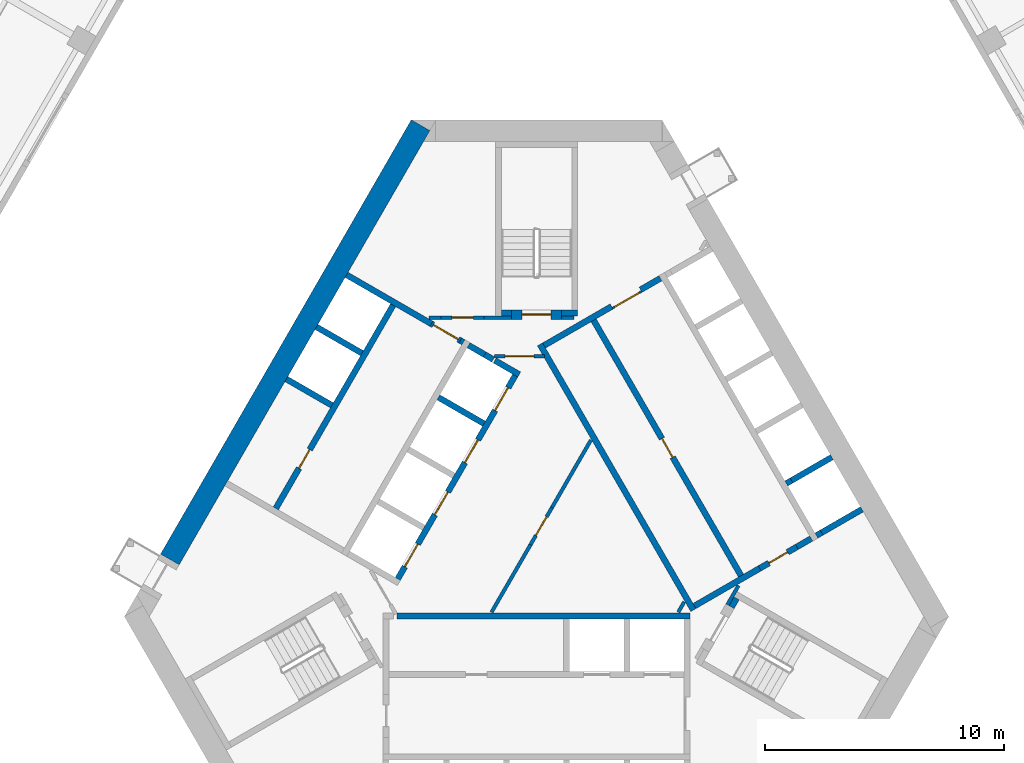
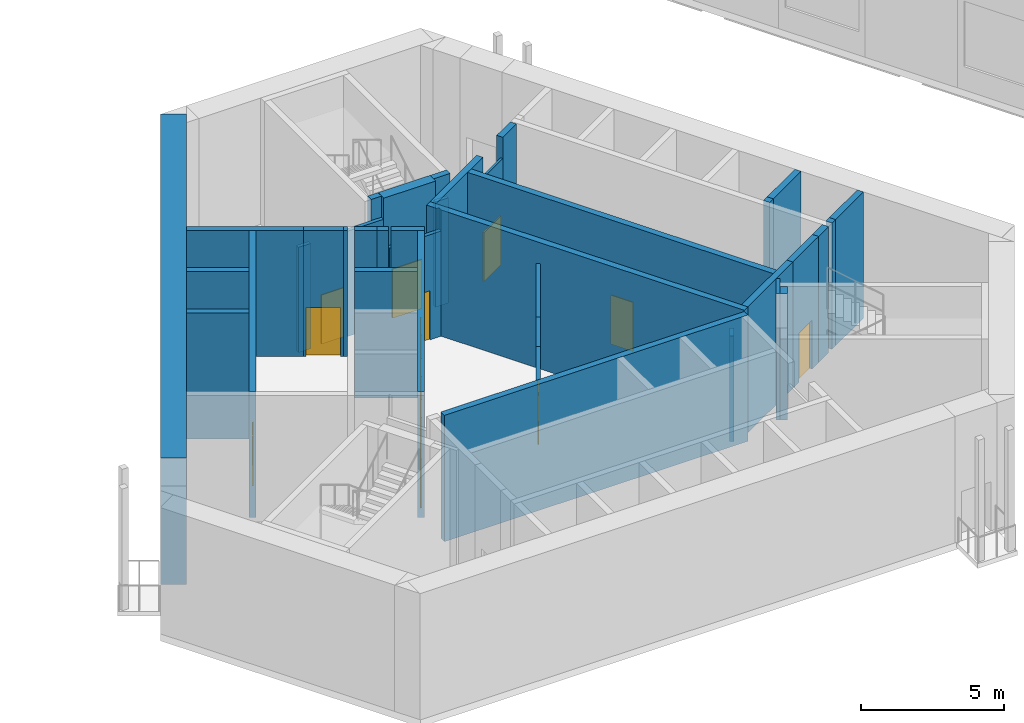
# One storey, part 13 of 35: 39 walls, 13 doors, 13 openings.
"""IFC4 building model written with IfcOpenShell, lengths in metres."""

from ifc_helpers import new_model, si_unit, direction, frame, frame_2d, origin, place, context, subcontext, project, spatial, polyline, rectangle, outline, extrude, material, layer, layer_set, type_object, element, fill, save


model = new_model("IFC4")

# Units and contexts
model_context = context("Model", 3, precision=1e-05, world=origin(), true_north=direction((0.0, 1.0)))
body_context = subcontext(model_context, "Body", "Model", "MODEL_VIEW")
ifc_project = project(units=[si_unit("LENGTHUNIT", "METRE"), si_unit("AREAUNIT", "SQUARE_METRE"), si_unit("VOLUMEUNIT", "CUBIC_METRE"), si_unit("PLANEANGLEUNIT", "RADIAN"), si_unit("MASSUNIT", "GRAM", prefix="KILO")], contexts=[model_context])

# Site, building, storey
site_placement = place(None, origin())
site = spatial("IfcSite", under=ifc_project, at=site_placement, CompositionType="ELEMENT")
building_placement = place(site_placement, origin())
building = spatial("IfcBuilding", under=site, at=building_placement, Name="Mestral Congress Tower", CompositionType="ELEMENT")
storey_placement = place(building_placement, frame((0.0, 0.0, 6.0)))
storey = spatial("IfcBuildingStorey", under=building, at=storey_placement, Name="L01", CompositionType="ELEMENT", Elevation=6.0)

# Walls
ifc_material_1 = material(Name="Fire-rated board partition")
ifc_layer_1 = layer(ifc_material_1, 0.14990234375)
ifc_layer_set_1 = layer_set([ifc_layer_1], Name="Fire-rated board partition")
wall_type_1 = type_object("IfcWallType", Name="Core partition 150", PredefinedType="PARTITIONING", material=ifc_layer_set_1)
wall_1_placement = place(storey_placement, frame((-3.99658203125, 8.625244140625, 0.0), z_axis=(0.0, 0.0, 1.0), x_axis=(-1.0, 0.0, 0.0)))
element("IfcWall", 1, at=wall_1_placement, inside=storey, type_object=wall_type_1, Name="L01 core wall", PredefinedType="PARTITIONING", context=body_context, shape_type="SweptSolid", body=[
    extrude(rectangle(XDim=0.502197265625, YDim=0.14990234375, at=frame_2d((0.2509765625, 0.0))), origin(), (0.0, 0.0, 1.0), 4.5),
])
wall_2_placement = place(storey_placement, frame((-2.1962890625, 8.62548828125, 0.0), z_axis=(0.0, 0.0, 1.0), x_axis=(1.0, 0.0, 0.0)))
element("IfcWall", 2, at=wall_2_placement, inside=storey, type_object=wall_type_1, Name="L01 core wall", PredefinedType="PARTITIONING", context=body_context, shape_type="SweptSolid", body=[
    extrude(rectangle(XDim=1.146240234375, YDim=0.14990234375, at=frame_2d((0.5732421875, 0.0))), origin(), (0.0, 0.0, 1.0), 4.5),
])
wall_3_placement = place(storey_placement, frame((5.935791015625, -3.718017578125, 0.0), z_axis=(0.0, 0.0, 1.0), x_axis=(0.499890179513, 0.866088799389, 0.0)))
element("IfcWall", 3, at=wall_3_placement, inside=storey, type_object=wall_type_1, Name="L01 core wall", PredefinedType="PARTITIONING", context=body_context, shape_type="SweptSolid", body=[
    extrude(rectangle(XDim=0.50390625, YDim=0.14990234375, at=frame_2d((0.251953125, 0.0))), origin(), (0.0, 0.0, 1.0), 4.5),
])
for number, where, z_axis, x_axis, name in (
    (4, (-1.886962890625, -3.71826171875, 0.0), (0.0, 0.0, 1.0), (0.500033287521, 0.866006184372, 0.0), "L01 core wall"),
    (5, (0.64501953125, 0.6669921875, 0.0), (0.0, 0.0, 1.0), (0.499977178999, 0.866038579095, 0.0), "L01 core wall"),
):
    element("IfcWall", number, at=place(storey_placement, frame(where, z_axis=z_axis, x_axis=x_axis)), inside=storey, type_object=wall_type_1, Name=name, PredefinedType="PARTITIONING", context=body_context, shape_type="SweptSolid", body=[
        extrude(rectangle(XDim=3.263427734375, YDim=0.14990234375, at=frame_2d((1.6318359375, 0.0))), origin(), (0.0, 0.0, 1.0), 4.5),
    ])
wall_4_placement = place(storey_placement, frame((1.050048828125, 8.62548828125, 0.0), z_axis=(0.0, 0.0, 1.0), x_axis=(1.0, 0.0, 0.0)))
element("IfcWall", 6, at=wall_4_placement, inside=storey, type_object=wall_type_1, Name="L01 core wall", PredefinedType="PARTITIONING", context=body_context, shape_type="SweptSolid", body=[
    extrude(rectangle(XDim=0.513916015625, YDim=0.14990234375, at=frame_2d((0.2568359375, 0.0))), origin(), (0.0, 0.0, 1.0), 4.5),
])

# Wall, opening, door
wall_5_placement = place(storey_placement, frame((-2.1962890625, 8.625, 0.0), z_axis=(0.0, 0.0, 1.0), x_axis=(-1.0, 0.0, 0.0)))
wall_5 = element("IfcWall", 7, at=wall_5_placement, inside=storey, type_object=wall_type_1, Name="L01 door wall", PredefinedType="PARTITIONING", context=body_context, shape_type="SweptSolid", body=[
    extrude(rectangle(XDim=1.800048828125, YDim=0.14990234375, at=frame_2d((0.89990234375, 0.0))), origin(), (0.0, 0.0, 1.0), 4.5),
])
opening_1_placement = place(wall_5_placement, frame((0.449951171875, 0.0, 0.0)))
opening_1 = element("IfcOpeningElement", 8, at=opening_1_placement, cuts=wall_5, Name="Opening TD2", PredefinedType="OPENING", context=body_context, shape_type="SweptSolid", body=[
    extrude(rectangle(XDim=0.89990234375, YDim=2.10009765625, at=frame_2d((0.449951171875, 1.050048828125))), frame((0.0, 0.0849609375, 0.0), z_axis=(0.0, -1.0, 0.0), x_axis=(1.0, 0.0, 0.0)), (0.0, 0.0, 1.0), 0.169921875),
])
ifc_material_2 = material(Name="Fire-rated steel door set", Category="steel")
door_type_1 = type_object("IfcDoorType", Name="Core door SR 900x2100", OperationType="SINGLE_SWING_LEFT", PredefinedType="DOOR", material=ifc_material_2)
door_1_placement = place(opening_1_placement, origin())
door_1 = element("IfcDoor", 9, at=door_1_placement, inside=storey, type_object=door_type_1, Name="Door TD2", OperationType="SINGLE_SWING_LEFT", OverallHeight=2.10009765625, OverallWidth=0.89990234375, PredefinedType="DOOR", context=body_context, shape_type="SweptSolid", body=[
    extrude(rectangle(XDim=0.89990234375, YDim=2.10009765625, at=frame_2d((0.449951171875, 1.050048828125))), frame((0.0, 0.02490234375, 0.0), z_axis=(0.0, -1.0, 0.0), x_axis=(1.0, 0.0, 0.0)), (0.0, 0.0, 1.0), 0.050048828125),
])
fill(opening_1, door_1)

wall_6_placement = place(storey_placement, frame((-1.765380859375, 7.0, 0.0), z_axis=(0.0, 0.0, 1.0), x_axis=(1.0, 0.0, 0.0)))
wall_6 = element("IfcWall", 10, at=wall_6_placement, inside=storey, type_object=wall_type_1, Name="L01 door wall", PredefinedType="PARTITIONING", context=body_context, shape_type="SweptSolid", body=[
    extrude(rectangle(XDim=2.10009765625, YDim=0.14990234375, at=frame_2d((1.050048828125, 0.0))), origin(), (0.0, 0.0, 1.0), 4.5),
])
opening_2_placement = place(wall_6_placement, frame((0.449951171875, 0.0, 0.0)))
opening_2 = element("IfcOpeningElement", 11, at=opening_2_placement, cuts=wall_6, Name="Opening CD2-FF", PredefinedType="OPENING", context=body_context, shape_type="SweptSolid", body=[
    extrude(rectangle(XDim=1.199951171875, YDim=2.10009765625, at=frame_2d((0.60009765625, 1.050048828125))), frame((0.0, 0.0849609375, 0.0), z_axis=(0.0, -1.0, 0.0), x_axis=(1.0, 0.0, 0.0)), (0.0, 0.0, 1.0), 0.169921875),
])
door_type_2 = type_object("IfcDoorType", Name="Core door CD 1200x2100", OperationType="SINGLE_SWING_LEFT", PredefinedType="DOOR", material=ifc_material_2)
door_2_placement = place(opening_2_placement, origin())
door_2 = element("IfcDoor", 12, at=door_2_placement, inside=storey, type_object=door_type_2, Name="Door CD2-FF", OperationType="SINGLE_SWING_LEFT", OverallHeight=2.10009765625, OverallWidth=1.199951171875, PredefinedType="DOOR", context=body_context, shape_type="SweptSolid", body=[
    extrude(rectangle(XDim=1.199951171875, YDim=2.10009765625, at=frame_2d((0.60009765625, 1.050048828125))), frame((0.0, 0.02490234375, 0.0), z_axis=(0.0, -1.0, 0.0), x_axis=(1.0, 0.0, 0.0)), (0.0, 0.0, 1.0), 0.050048828125),
])
fill(opening_2, door_2)

wall_7_placement = place(storey_placement, frame((-0.255126953125, -0.891845703125, 0.0), z_axis=(0.0, 0.0, 1.0), x_axis=(0.500062916607, 0.865989075817, 0.0)))
wall_7 = element("IfcWall", 13, at=wall_7_placement, inside=storey, type_object=wall_type_1, Name="L01 door wall", PredefinedType="PARTITIONING", context=body_context, shape_type="SweptSolid", body=[
    extrude(rectangle(XDim=1.800048828125, YDim=0.14990234375, at=frame_2d((0.89990234375, 0.0))), origin(), (0.0, 0.0, 1.0), 4.5),
])
opening_3_placement = place(wall_7_placement, frame((0.449951171875, 0.0, 0.0)))
opening_3 = element("IfcOpeningElement", 14, at=opening_3_placement, cuts=wall_7, Name="Opening SD-HUB0", PredefinedType="OPENING", context=body_context, shape_type="SweptSolid", body=[
    extrude(rectangle(XDim=0.89990234375, YDim=2.10009765625, at=frame_2d((0.449951171875, 1.050048828125))), frame((0.0, 0.0849609375, 0.0), z_axis=(0.0, -1.0, 0.0), x_axis=(1.0, 0.0, 0.0)), (0.0, 0.0, 1.0), 0.169921875),
])
door_3_placement = place(opening_3_placement, origin())
door_3 = element("IfcDoor", 15, at=door_3_placement, inside=storey, type_object=door_type_1, Name="Door SD-HUB0", OperationType="SINGLE_SWING_LEFT", OverallHeight=2.10009765625, OverallWidth=0.89990234375, PredefinedType="DOOR", context=body_context, shape_type="SweptSolid", body=[
    extrude(rectangle(XDim=0.89990234375, YDim=2.10009765625, at=frame_2d((0.449951171875, 1.050048828125))), frame((0.0, 0.02490234375, 0.0), z_axis=(0.0, -1.0, 0.0), x_axis=(1.0, 0.0, 0.0)), (0.0, 0.0, 1.0), 0.050048828125),
])
fill(opening_3, door_3)

ifc_layer_2 = layer(ifc_material_1, 0.090087890625)
ifc_layer_set_2 = layer_set([ifc_layer_2], Name="Fire-rated board partition")
wall_type_2 = type_object("IfcWallType", Name="Core partition 150 door-wall 90", PredefinedType="PARTITIONING", material=ifc_layer_set_2)
wall_8_placement = place(storey_placement, frame((3.182861328125, 9.02001953125, 0.0), z_axis=(0.0, 0.0, 1.0), x_axis=(0.866034573852, 0.49998411664, 0.0)))
wall_8 = element("IfcWall", 16, at=wall_8_placement, inside=storey, type_object=wall_type_2, Name="L01 door wall", PredefinedType="PARTITIONING", context=body_context, shape_type="SweptSolid", body=[
    extrude(rectangle(XDim=1.39990234375, YDim=0.090087890625, at=frame_2d((0.699951171875, 0.0))), origin(), (0.0, 0.0, 1.0), 4.5),
])
opening_4_placement = place(wall_8_placement, frame((0.10009765625, 0.0, 0.0)))
opening_4 = element("IfcOpeningElement", 17, at=opening_4_placement, cuts=wall_8, Name="Opening LB1-WL2", PredefinedType="OPENING", context=body_context, shape_type="SweptSolid", body=[
    extrude(rectangle(XDim=1.199951171875, YDim=2.10009765625, at=frame_2d((0.60009765625, 1.050048828125))), frame((0.0, 0.054931640625, 0.0), z_axis=(0.0, -1.0, 0.0), x_axis=(1.0, 0.0, 0.0)), (0.0, 0.0, 1.0), 0.110107421875),
])
door_type_3 = type_object("IfcDoorType", Name="Core door LB 1200x2100", OperationType="SINGLE_SWING_LEFT", PredefinedType="DOOR", material=ifc_material_2)
door_4_placement = place(opening_4_placement, origin())
door_4 = element("IfcDoor", 18, at=door_4_placement, inside=storey, type_object=door_type_3, Name="Door LB1-WL2", OperationType="SINGLE_SWING_LEFT", OverallHeight=2.10009765625, OverallWidth=1.199951171875, PredefinedType="DOOR", context=body_context, shape_type="SweptSolid", body=[
    extrude(rectangle(XDim=1.199951171875, YDim=2.10009765625, at=frame_2d((0.60009765625, 1.050048828125))), frame((0.0, 0.02490234375, 0.0), z_axis=(0.0, -1.0, 0.0), x_axis=(1.0, 0.0, 0.0)), (0.0, 0.0, 1.0), 0.050048828125),
])
fill(opening_4, door_4)

# Walls
ifc_material_3 = material(Name="Concrete C60/75", Category="concrete")
ifc_layer_3 = layer(ifc_material_3, 0.89990234375)
ifc_layer_set_3 = layer_set([ifc_layer_3], Name="Concrete C60/75")
wall_type_3 = type_object("IfcWallType", Name="Core wall RC 900", PredefinedType="SOLIDWALL", material=ifc_layer_set_3)
wall_9_placement = place(storey_placement, frame((-15.359619140625, -1.50341796875, 0.0), z_axis=(0.0, 0.0, 1.0), x_axis=(0.50000389221, 0.866023156604, 0.0)))
element("IfcWall", 19, at=wall_9_placement, inside=storey, type_object=wall_type_3, Name="L01 core wall", PredefinedType="SOLIDWALL", context=body_context, shape_type="SweptSolid", body=[
    extrude(rectangle(XDim=21.000244140625, YDim=0.89990234375, at=frame_2d((10.5, 0.0))), origin(), (0.0, 0.0, 1.0), 5.39990234375),
])
ifc_layer_4 = layer(ifc_material_3, 0.25)
ifc_layer_set_4 = layer_set([ifc_layer_4], Name="Concrete C60/75")
wall_type_4 = type_object("IfcWallType", Name="Shaft wall RC 250", PredefinedType="SOLIDWALL", material=ifc_layer_set_4)
wall_10_placement = place(storey_placement, frame((-5.844970703125, -3.875, 0.0), z_axis=(0.0, 0.0, 1.0), x_axis=(1.0, 0.0, 0.0)))
element("IfcWall", 20, at=wall_10_placement, inside=storey, type_object=wall_type_4, Name="L01 core wall", PredefinedType="SOLIDWALL", context=body_context, shape_type="SweptSolid", body=[
    extrude(rectangle(XDim=12.27001953125, YDim=0.25, at=frame_2d((6.135009765625, 0.0))), origin(), (0.0, 0.0, 1.0), 5.39990234375),
])
for number, where, z_axis, x_axis, name in (
    (21, (10.463623046875, 1.676513671875, 0.0), (0.0, 0.0, 1.0), (0.866071776036, 0.499919672301, 0.0), "L01 core wall"),
    (22, (11.894287109375, -0.5517578125, 0.0), (0.0, 0.0, 1.0), (-0.499919672301, 0.866071776036, 0.0), "L01 core wall"),
):
    element("IfcWall", number, at=place(storey_placement, frame(where, z_axis=z_axis, x_axis=x_axis)), inside=storey, type_object=wall_type_4, Name=name, PredefinedType="SOLIDWALL", context=body_context, shape_type="SweptSolid", body=[
        extrude(rectangle(XDim=0.25, YDim=0.25, at=frame_2d((0.125, 0.0))), origin(), (0.0, 0.0, 1.0), 5.39990234375),
    ])
for number, where, z_axis, x_axis, name in (
    (23, (11.940185546875, -0.381103515625, 0.0), (0.0, 0.0, 1.0), (0.866000020948, 0.500043961785, 0.0), "L01 core wall"),
    (24, (12.368896484375, 2.7763671875, 0.0), (0.0, 0.0, 1.0), (-0.866054235095, -0.49995005938, 0.0), "L01 core wall"),
):
    element("IfcWall", number, at=place(storey_placement, frame(where, z_axis=z_axis, x_axis=x_axis)), inside=storey, type_object=wall_type_4, Name=name, PredefinedType="SOLIDWALL", context=body_context, shape_type="SweptSolid", body=[
        extrude(rectangle(XDim=1.949951171875, YDim=0.25, at=frame_2d((0.97509765625, 0.0))), origin(), (0.0, 0.0, 1.0), 5.39990234375),
    ])
wall_11_placement = place(storey_placement, frame((11.507080078125, -0.631103515625, 0.0), z_axis=(0.0, 0.0, 1.0), x_axis=(-0.866074517829, -0.49991492233, 0.0)))
element("IfcWall", 25, at=wall_11_placement, inside=storey, type_object=wall_type_4, Name="L01 core wall", PredefinedType="SOLIDWALL", context=body_context, shape_type="SweptSolid", body=[
    extrude(rectangle(XDim=0.6953125, YDim=0.25, at=frame_2d((0.34765625, 0.0))), origin(), (0.0, 0.0, 1.0), 5.39990234375),
])
placement = place(storey_placement, origin())
element("IfcWall", 26, at=placement, inside=storey, type_object=wall_type_4, Name="L01 core wall", PredefinedType="SOLIDWALL", context=body_context, shape_type="SweptSolid", body=[
    extrude(outline(polyline([(6.551513671875, -3.34765625), (6.676513671875, -3.564208984375), (6.460205078125, -3.689208984375), (4.896728515625, -0.981201171875), (0.33203125, 6.9248046875), (0.334716796875, 6.9248046875), (0.334716796875, 6.925048828125), (0.334716796875, 6.925048828125), (0.334716796875, 7.074951171875), (0.334716796875, 7.074951171875), (0.334716796875, 7.0751953125), (0.245361328125, 7.0751953125), (0.079345703125, 7.362548828125), (0.03515625, 7.439208984375), (0.251708984375, 7.564208984375), (0.376708984375, 7.34765625), (6.551513671875, -3.34765625)])), origin(), (0.0, 0.0, 1.0), 5.39990234375),
])
wall_13_placement = place(storey_placement, frame((4.3583984375, 9.791015625, 0.0), z_axis=(0.0, 0.0, 1.0), x_axis=(0.866100000774, 0.49987077196, 0.0)))
element("IfcWall", 27, at=wall_13_placement, inside=storey, type_object=wall_type_4, Name="L01 core wall", PredefinedType="SOLIDWALL", context=body_context, shape_type="SweptSolid", body=[
    extrude(rectangle(XDim=0.949951171875, YDim=0.25, at=frame_2d((0.47509765625, 0.0))), origin(), (0.0, 0.0, 1.0), 5.39990234375),
])
wall_14_placement = place(storey_placement, frame((0.314208984375, 7.455810546875, 0.0), z_axis=(0.0, 0.0, 1.0), x_axis=(0.866013897511, 0.50001992892, 0.0)))
element("IfcWall", 28, at=wall_14_placement, inside=storey, type_object=wall_type_4, Name="L01 core wall", PredefinedType="SOLIDWALL", context=body_context, shape_type="SweptSolid", body=[
    extrude(rectangle(XDim=3.267822265625, YDim=0.25, at=frame_2d((1.6337890625, 0.0))), origin(), (0.0, 0.0, 1.0), 5.39990234375),
])
wall_15_placement = place(storey_placement, frame((6.614013671875, -3.4560546875, 0.0), z_axis=(0.0, 0.0, 1.0), x_axis=(0.86602447079, 0.500001615989, 0.0)))
element("IfcWall", 29, at=wall_15_placement, inside=storey, type_object=wall_type_4, Name="L01 core wall", PredefinedType="SOLIDWALL", context=body_context, shape_type="SweptSolid", body=[
    extrude(rectangle(XDim=3.154296875, YDim=0.25, at=frame_2d((1.5771484375, 0.0))), origin(), (0.0, 0.0, 1.0), 5.39990234375),
])
wall_16_placement = place(storey_placement, frame((-1.818603515625, 6.869873046875, 0.0), z_axis=(0.0, 0.0, 1.0), x_axis=(-0.866294599386, 0.499533449405, 0.0)))
element("IfcWall", 30, at=wall_16_placement, inside=storey, type_object=wall_type_4, Name="L01 core wall", PredefinedType="SOLIDWALL", context=body_context, shape_type="SweptSolid", body=[
    extrude(rectangle(XDim=0.41015625, YDim=0.25, at=frame_2d((0.205078125, 0.0))), origin(), (0.0, 0.0, 1.0), 5.39990234375),
])
wall_17_placement = place(storey_placement, frame((-2.849365234375, 7.46484375, 0.0), z_axis=(0.0, 0.0, 1.0), x_axis=(0.865955664968, -0.500120771724, 0.0)))
element("IfcWall", 31, at=wall_17_placement, inside=storey, type_object=wall_type_4, Name="L01 core wall", PredefinedType="SOLIDWALL", context=body_context, shape_type="SweptSolid", body=[
    extrude(rectangle(XDim=0.778076171875, YDim=0.25, at=frame_2d((0.38916015625, 0.0))), origin(), (0.0, 0.0, 1.0), 5.39990234375),
])
wall_18_placement = place(storey_placement, frame((-0.7275390625, 6.23974609375, 0.0), z_axis=(0.0, 0.0, 1.0), x_axis=(-0.866002680491, 0.500039355833, 0.0)))
element("IfcWall", 32, at=wall_18_placement, inside=storey, type_object=wall_type_4, Name="L01 core wall", PredefinedType="SOLIDWALL", context=body_context, shape_type="SweptSolid", body=[
    extrude(rectangle(XDim=1.17822265625, YDim=0.25, at=frame_2d((0.589111328125, 0.0))), origin(), (0.0, 0.0, 1.0), 5.39990234375),
])
wall_19_placement = place(storey_placement, frame((-2.2041015625, 4.182373046875, 0.0), z_axis=(0.0, 0.0, 1.0), x_axis=(-0.866008176907, 0.50002983664, 0.0)))
element("IfcWall", 33, at=wall_19_placement, inside=storey, type_object=wall_type_4, Name="L01 core wall", PredefinedType="SOLIDWALL", context=body_context, shape_type="SweptSolid", body=[
    extrude(rectangle(XDim=2.199951171875, YDim=0.25, at=frame_2d((1.10009765625, 0.0))), origin(), (0.0, 0.0, 1.0), 5.39990234375),
])
element("IfcWall", 34, at=placement, inside=storey, type_object=wall_type_4, Name="L01 core wall", PredefinedType="SOLIDWALL", context=body_context, shape_type="SweptSolid", body=[
    extrude(outline(polyline([(-3.12841796875, 7.4814453125), (-3.2587890625, 7.556640625), (-3.1337890625, 7.773193359375), (-3.00341796875, 7.697998046875), (-3.12841796875, 7.4814453125)])), origin(), (0.0, 0.0, 1.0), 5.39990234375),
])
for number, where, z_axis, x_axis, name in (
    (35, (-8.57373046875, 4.949951171875, 0.0), (0.0, 0.0, 1.0), (-0.866008176907, 0.50002983664, 0.0), "L01 core wall"),
    (36, (-7.313720703125, 7.13232421875, 0.0), (0.0, 0.0, 1.0), (-0.866008176907, 0.50002983664, 0.0), "L01 core wall"),
):
    element("IfcWall", number, at=place(storey_placement, frame(where, z_axis=z_axis, x_axis=x_axis)), inside=storey, type_object=wall_type_4, Name=name, PredefinedType="SOLIDWALL", context=body_context, shape_type="SweptSolid", body=[
        extrude(rectangle(XDim=2.199951171875, YDim=0.25, at=frame_2d((1.10009765625, 0.0))), origin(), (0.0, 0.0, 1.0), 5.39990234375),
    ])
wall_21_placement = place(storey_placement, frame((-7.958984375, 10.414794921875, 0.0), z_axis=(0.0, 0.0, 1.0), x_axis=(0.866020958405, -0.500007699544, 0.0)))
element("IfcWall", 37, at=wall_21_placement, inside=storey, type_object=wall_type_4, Name="L01 core wall", PredefinedType="SOLIDWALL", context=body_context, shape_type="SweptSolid", body=[
    extrude(rectangle(XDim=4.099609375, YDim=0.25, at=frame_2d((2.0498046875, 0.0))), origin(), (0.0, 0.0, 1.0), 5.39990234375),
])

# Wall, opening, door
wall_22_placement = place(storey_placement, frame((8.565185546875, -2.185302734375, 0.0), z_axis=(0.0, 0.0, 1.0), x_axis=(-0.499997954832, 0.866026584559, 0.0)))
wall_22 = element("IfcWall", 38, at=wall_22_placement, inside=storey, type_object=wall_type_4, Name="L01 door wall", PredefinedType="SOLIDWALL", context=body_context, shape_type="SweptSolid", body=[
    extrude(rectangle(XDim=12.35009765625, YDim=0.25, at=frame_2d((6.175048828125, 0.0))), origin(), (0.0, 0.0, 1.0), 5.39990234375),
])
opening_5_placement = place(wall_22_placement, frame((5.72509765625, 0.0, 0.0)))
opening_5 = element("IfcOpeningElement", 39, at=opening_5_placement, cuts=wall_22, Name="Opening SR-NEB1", PredefinedType="OPENING", context=body_context, shape_type="SweptSolid", body=[
    extrude(rectangle(XDim=0.89990234375, YDim=2.10009765625, at=frame_2d((0.449951171875, 1.050048828125))), frame((0.0, 0.135009765625, 0.0), z_axis=(0.0, -1.0, 0.0), x_axis=(1.0, 0.0, 0.0)), (0.0, 0.0, 1.0), 0.27001953125),
])
door_5_placement = place(opening_5_placement, origin())
door_5 = element("IfcDoor", 40, at=door_5_placement, inside=storey, type_object=door_type_1, Name="Door SR-NEB1", OperationType="SINGLE_SWING_LEFT", OverallHeight=2.10009765625, OverallWidth=0.89990234375, PredefinedType="DOOR", context=body_context, shape_type="SweptSolid", body=[
    extrude(rectangle(XDim=0.89990234375, YDim=2.10009765625, at=frame_2d((0.449951171875, 1.050048828125))), frame((0.0, 0.02490234375, 0.0), z_axis=(0.0, -1.0, 0.0), x_axis=(1.0, 0.0, 0.0)), (0.0, 0.0, 1.0), 0.050048828125),
])
fill(opening_5, door_5)

wall_23_placement = place(storey_placement, frame((-6.0078125, 9.14404296875, 0.0), z_axis=(0.0, 0.0, 1.0), x_axis=(-0.500006956611, -0.866021387346, 0.0)))
wall_23 = element("IfcWall", 41, at=wall_23_placement, inside=storey, type_object=wall_type_4, Name="L01 door wall", PredefinedType="SOLIDWALL", context=body_context, shape_type="SweptSolid", body=[
    extrude(rectangle(XDim=9.829833984375, YDim=0.25, at=frame_2d((4.9150390625, 0.0))), origin(), (0.0, 0.0, 1.0), 5.39990234375),
])
opening_6_placement = place(wall_23_placement, frame((6.985107421875, 0.0, 0.0)))
opening_6 = element("IfcOpeningElement", 42, at=opening_6_placement, cuts=wall_23, Name="Opening SR-NWA2", PredefinedType="OPENING", context=body_context, shape_type="SweptSolid", body=[
    extrude(rectangle(XDim=0.89990234375, YDim=2.10009765625, at=frame_2d((0.449951171875, 1.050048828125))), frame((0.0, 0.135009765625, 0.0), z_axis=(0.0, -1.0, 0.0), x_axis=(1.0, 0.0, 0.0)), (0.0, 0.0, 1.0), 0.27001953125),
])
door_6_placement = place(opening_6_placement, origin())
door_6 = element("IfcDoor", 43, at=door_6_placement, inside=storey, type_object=door_type_1, Name="Door SR-NWA2", OperationType="SINGLE_SWING_LEFT", OverallHeight=2.10009765625, OverallWidth=0.89990234375, PredefinedType="DOOR", context=body_context, shape_type="SweptSolid", body=[
    extrude(rectangle(XDim=0.89990234375, YDim=2.10009765625, at=frame_2d((0.449951171875, 1.050048828125))), frame((0.0, 0.02490234375, 0.0), z_axis=(0.0, -1.0, 0.0), x_axis=(1.0, 0.0, 0.0)), (0.0, 0.0, 1.0), 0.050048828125),
])
fill(opening_6, door_6)

# Wall, openings, doors
wall_24_placement = place(storey_placement, frame((-0.898193359375, 6.194091796875, 0.0), z_axis=(0.0, 0.0, 1.0), x_axis=(-0.499996202215, -0.866027596426, 0.0)))
wall_24 = element("IfcWall", 44, at=wall_24_placement, inside=storey, type_object=wall_type_4, Name="L01 door wall", PredefinedType="SOLIDWALL", context=body_context, shape_type="SweptSolid", body=[
    extrude(rectangle(XDim=9.830078125, YDim=0.25, at=frame_2d((4.9150390625, 0.0))), origin(), (0.0, 0.0, 1.0), 5.39990234375),
])
opening_7_placement = place(wall_24_placement, frame((0.5849609375, 0.0, 0.0)))
opening_7 = element("IfcOpeningElement", 45, at=opening_7_placement, cuts=wall_24, Name="Opening LD-NWB1", PredefinedType="OPENING", context=body_context, shape_type="SweptSolid", body=[
    extrude(rectangle(XDim=1.10009765625, YDim=2.10009765625, at=frame_2d((0.550048828125, 1.050048828125))), frame((0.0, 0.135009765625, 0.0), z_axis=(0.0, -1.0, 0.0), x_axis=(1.0, 0.0, 0.0)), (0.0, 0.0, 1.0), 0.27001953125),
])
opening_8_placement = place(wall_24_placement, frame((3.10498046875, 0.0, 0.0)))
opening_8 = element("IfcOpeningElement", 46, at=opening_8_placement, cuts=wall_24, Name="Opening LD-NWB2", PredefinedType="OPENING", context=body_context, shape_type="SweptSolid", body=[
    extrude(rectangle(XDim=1.10009765625, YDim=2.10009765625, at=frame_2d((0.550048828125, 1.050048828125))), frame((0.0, 0.135009765625, 0.0), z_axis=(0.0, -1.0, 0.0), x_axis=(1.0, 0.0, 0.0)), (0.0, 0.0, 1.0), 0.27001953125),
])
opening_9_placement = place(wall_24_placement, frame((5.625, 0.0, 0.0)))
opening_9 = element("IfcOpeningElement", 47, at=opening_9_placement, cuts=wall_24, Name="Opening LD-NWB3", PredefinedType="OPENING", context=body_context, shape_type="SweptSolid", body=[
    extrude(rectangle(XDim=1.10009765625, YDim=2.10009765625, at=frame_2d((0.550048828125, 1.050048828125))), frame((0.0, 0.135009765625, 0.0), z_axis=(0.0, -1.0, 0.0), x_axis=(1.0, 0.0, 0.0)), (0.0, 0.0, 1.0), 0.27001953125),
])
opening_10_placement = place(wall_24_placement, frame((8.14501953125, 0.0, 0.0)))
opening_10 = element("IfcOpeningElement", 48, at=opening_10_placement, cuts=wall_24, Name="Opening LD-NWB4", PredefinedType="OPENING", context=body_context, shape_type="SweptSolid", body=[
    extrude(rectangle(XDim=1.10009765625, YDim=2.10009765625, at=frame_2d((0.550048828125, 1.050048828125))), frame((0.0, 0.135009765625, 0.0), z_axis=(0.0, -1.0, 0.0), x_axis=(1.0, 0.0, 0.0)), (0.0, 0.0, 1.0), 0.27001953125),
])
door_type_4 = type_object("IfcDoorType", Name="Core door LD 1100x2100", OperationType="DOUBLE_DOOR_SLIDING", PredefinedType="DOOR", material=ifc_material_2)
door_7_placement = place(opening_7_placement, origin())
door_7 = element("IfcDoor", 49, at=door_7_placement, inside=storey, type_object=door_type_4, Name="Door LD-NWB1", OperationType="DOUBLE_DOOR_SLIDING", OverallHeight=2.10009765625, OverallWidth=1.10009765625, PredefinedType="DOOR", context=body_context, shape_type="SweptSolid", body=[
    extrude(rectangle(XDim=1.10009765625, YDim=2.10009765625, at=frame_2d((0.550048828125, 1.050048828125))), frame((0.0, 0.02490234375, 0.0), z_axis=(0.0, -1.0, 0.0), x_axis=(1.0, 0.0, 0.0)), (0.0, 0.0, 1.0), 0.050048828125),
])
fill(opening_7, door_7)
door_8_placement = place(opening_8_placement, origin())
door_8 = element("IfcDoor", 50, at=door_8_placement, inside=storey, type_object=door_type_4, Name="Door LD-NWB2", OperationType="DOUBLE_DOOR_SLIDING", OverallHeight=2.10009765625, OverallWidth=1.10009765625, PredefinedType="DOOR", context=body_context, shape_type="SweptSolid", body=[
    extrude(rectangle(XDim=1.10009765625, YDim=2.10009765625, at=frame_2d((0.550048828125, 1.050048828125))), frame((0.0, 0.02490234375, 0.0), z_axis=(0.0, -1.0, 0.0), x_axis=(1.0, 0.0, 0.0)), (0.0, 0.0, 1.0), 0.050048828125),
])
fill(opening_8, door_8)
door_9_placement = place(opening_9_placement, origin())
door_9 = element("IfcDoor", 51, at=door_9_placement, inside=storey, type_object=door_type_4, Name="Door LD-NWB3", OperationType="DOUBLE_DOOR_SLIDING", OverallHeight=2.10009765625, OverallWidth=1.10009765625, PredefinedType="DOOR", context=body_context, shape_type="SweptSolid", body=[
    extrude(rectangle(XDim=1.10009765625, YDim=2.10009765625, at=frame_2d((0.550048828125, 1.050048828125))), frame((0.0, 0.02490234375, 0.0), z_axis=(0.0, -1.0, 0.0), x_axis=(1.0, 0.0, 0.0)), (0.0, 0.0, 1.0), 0.050048828125),
])
fill(opening_9, door_9)
door_10_placement = place(opening_10_placement, origin())
door_10 = element("IfcDoor", 52, at=door_10_placement, inside=storey, type_object=door_type_4, Name="Door LD-NWB4", OperationType="DOUBLE_DOOR_SLIDING", OverallHeight=2.10009765625, OverallWidth=1.10009765625, PredefinedType="DOOR", context=body_context, shape_type="SweptSolid", body=[
    extrude(rectangle(XDim=1.10009765625, YDim=2.10009765625, at=frame_2d((0.550048828125, 1.050048828125))), frame((0.0, 0.02490234375, 0.0), z_axis=(0.0, -1.0, 0.0), x_axis=(1.0, 0.0, 0.0)), (0.0, 0.0, 1.0), 0.050048828125),
])
fill(opening_10, door_10)

# Wall, opening, door
wall_25_placement = place(storey_placement, frame((9.345947265625, -1.878662109375, 0.0), z_axis=(0.0, 0.0, 1.0), x_axis=(0.866047807691, 0.499961193289, 0.0)))
wall_25 = element("IfcWall", 53, at=wall_25_placement, inside=storey, type_object=wall_type_4, Name="L01 door wall", PredefinedType="SOLIDWALL", context=body_context, shape_type="SweptSolid", body=[
    extrude(rectangle(XDim=1.800048828125, YDim=0.25, at=frame_2d((0.89990234375, 0.0))), origin(), (0.0, 0.0, 1.0), 5.39990234375),
])
opening_11_placement = place(wall_25_placement, frame((0.449951171875, 0.0, 0.0)))
opening_11 = element("IfcOpeningElement", 54, at=opening_11_placement, cuts=wall_25, Name="Opening TD1", PredefinedType="OPENING", context=body_context, shape_type="SweptSolid", body=[
    extrude(rectangle(XDim=0.89990234375, YDim=2.10009765625, at=frame_2d((0.449951171875, 1.050048828125))), frame((0.0, 0.135009765625, 0.0), z_axis=(0.0, -1.0, 0.0), x_axis=(1.0, 0.0, 0.0)), (0.0, 0.0, 1.0), 0.27001953125),
])
door_11_placement = place(opening_11_placement, origin())
door_11 = element("IfcDoor", 55, at=door_11_placement, inside=storey, type_object=door_type_1, Name="Door TD1", OperationType="SINGLE_SWING_LEFT", OverallHeight=2.10009765625, OverallWidth=0.89990234375, PredefinedType="DOOR", context=body_context, shape_type="SweptSolid", body=[
    extrude(rectangle(XDim=0.89990234375, YDim=2.10009765625, at=frame_2d((0.449951171875, 1.050048828125))), frame((0.0, 0.02490234375, 0.0), z_axis=(0.0, -1.0, 0.0), x_axis=(1.0, 0.0, 0.0)), (0.0, 0.0, 1.0), 0.050048828125),
])
fill(opening_11, door_11)

wall_26_placement = place(storey_placement, frame((-4.40869140625, 8.364990234375, 0.0), z_axis=(0.0, 0.0, 1.0), x_axis=(0.866034573852, -0.49998411664, 0.0)))
wall_26 = element("IfcWall", 56, at=wall_26_placement, inside=storey, type_object=wall_type_4, Name="L01 door wall", PredefinedType="SOLIDWALL", context=body_context, shape_type="SweptSolid", body=[
    extrude(rectangle(XDim=1.39990234375, YDim=0.25, at=frame_2d((0.699951171875, 0.0))), origin(), (0.0, 0.0, 1.0), 5.39990234375),
])
opening_12_placement = place(wall_26_placement, frame((0.10009765625, 0.0, 0.0)))
opening_12 = element("IfcOpeningElement", 57, at=opening_12_placement, cuts=wall_26, Name="Opening LB2-WL2", PredefinedType="OPENING", context=body_context, shape_type="SweptSolid", body=[
    extrude(rectangle(XDim=1.199951171875, YDim=2.10009765625, at=frame_2d((0.60009765625, 1.050048828125))), frame((0.0, 0.135009765625, 0.0), z_axis=(0.0, -1.0, 0.0), x_axis=(1.0, 0.0, 0.0)), (0.0, 0.0, 1.0), 0.27001953125),
])
door_12_placement = place(opening_12_placement, origin())
door_12 = element("IfcDoor", 58, at=door_12_placement, inside=storey, type_object=door_type_3, Name="Door LB2-WL2", OperationType="SINGLE_SWING_LEFT", OverallHeight=2.10009765625, OverallWidth=1.199951171875, PredefinedType="DOOR", context=body_context, shape_type="SweptSolid", body=[
    extrude(rectangle(XDim=1.199951171875, YDim=2.10009765625, at=frame_2d((0.60009765625, 1.050048828125))), frame((0.0, 0.02490234375, 0.0), z_axis=(0.0, -1.0, 0.0), x_axis=(1.0, 0.0, 0.0)), (0.0, 0.0, 1.0), 0.050048828125),
])
fill(opening_12, door_12)

# Walls
ifc_layer_5 = layer(ifc_material_3, 0.14990234375)
ifc_layer_set_5 = layer_set([ifc_layer_5], Name="Concrete C60/75")
wall_type_5 = type_object("IfcWallType", Name="Shaft wall RC 250 door-wall 150", PredefinedType="SOLIDWALL", material=ifc_layer_set_5)
wall_27_placement = place(storey_placement, frame((8.459228515625, -2.59912109375, 0.0), z_axis=(0.0, 0.0, 1.0), x_axis=(-0.500041054325, -0.866001699761, 0.0)))
element("IfcWall", 59, at=wall_27_placement, inside=storey, type_object=wall_type_5, Name="L01 core wall", PredefinedType="PARTITIONING", context=body_context, shape_type="SweptSolid", body=[
    extrude(rectangle(XDim=0.9287109375, YDim=0.14990234375, at=frame_2d((0.46435546875, 0.0))), origin(), (0.0, 0.0, 1.0), 5.39990234375),
])
ifc_layer_6 = layer(ifc_material_3, 0.25)
ifc_layer_set_6 = layer_set([ifc_layer_6], Name="Concrete C60/75")
wall_type_6 = type_object("IfcWallType", Name="Stair wall RC 250", PredefinedType="SOLIDWALL", material=ifc_layer_set_6)
wall_28_placement = place(storey_placement, frame((8.167724609375, -3.503173828125, 0.0), z_axis=(0.0, 0.0, 1.0), x_axis=(0.49972245349, 0.866185586049, 0.0)))
element("IfcWall", 60, at=wall_28_placement, inside=storey, type_object=wall_type_6, Name="L01 core wall", PredefinedType="SOLIDWALL", context=body_context, shape_type="SweptSolid", body=[
    extrude(rectangle(XDim=0.425048828125, YDim=0.25, at=frame_2d((0.21240234375, 0.0))), origin(), (0.0, 0.0, 1.0), 5.39990234375),
])
wall_29_placement = place(storey_placement, frame((1.050048828125, 8.824951171875, 0.0), z_axis=(0.0, 0.0, 1.0), x_axis=(1.0, 0.0, 0.0)))
element("IfcWall", 61, at=wall_29_placement, inside=storey, type_object=wall_type_6, Name="L01 core wall", PredefinedType="SOLIDWALL", context=body_context, shape_type="SweptSolid", body=[
    extrude(rectangle(XDim=0.675048828125, YDim=0.25, at=frame_2d((0.33740234375, 0.0))), origin(), (0.0, 0.0, 1.0), 5.39990234375),
])
wall_30_placement = place(storey_placement, frame((-1.47509765625, 8.824951171875, 0.0), z_axis=(0.0, 0.0, 1.0), x_axis=(1.0, 0.0, 0.0)))
element("IfcWall", 62, at=wall_30_placement, inside=storey, type_object=wall_type_6, Name="L01 core wall", PredefinedType="SOLIDWALL", context=body_context, shape_type="SweptSolid", body=[
    extrude(rectangle(XDim=0.425048828125, YDim=0.25, at=frame_2d((0.21240234375, 0.0))), origin(), (0.0, 0.0, 1.0), 5.39990234375),
])

# Wall, opening, door
ifc_layer_7 = layer(ifc_material_3, 0.39990234375)
ifc_layer_set_7 = layer_set([ifc_layer_7], Name="Concrete C60/75")
wall_type_7 = type_object("IfcWallType", Name="Stair wall RC 250 door-wall 400", PredefinedType="SOLIDWALL", material=ifc_layer_set_7)
wall_31_placement = place(storey_placement, frame((1.050048828125, 8.75, 0.0), z_axis=(0.0, 0.0, 1.0), x_axis=(-1.0, 0.0, 0.0)))
wall_31 = element("IfcWall", 63, at=wall_31_placement, inside=storey, type_object=wall_type_7, Name="L01 door wall", PredefinedType="SOLIDWALL", context=body_context, shape_type="SweptSolid", body=[
    extrude(rectangle(XDim=2.10009765625, YDim=0.39990234375, at=frame_2d((1.050048828125, 0.0))), origin(), (0.0, 0.0, 1.0), 5.39990234375),
])
opening_13_placement = place(wall_31_placement, frame((0.449951171875, 0.0, 0.0)))
opening_13 = element("IfcOpeningElement", 64, at=opening_13_placement, cuts=wall_31, Name="Opening ST-D2", PredefinedType="OPENING", context=body_context, shape_type="SweptSolid", body=[
    extrude(rectangle(XDim=1.199951171875, YDim=2.10009765625, at=frame_2d((0.60009765625, 1.050048828125))), frame((0.0, 0.2099609375, 0.0), z_axis=(0.0, -1.0, 0.0), x_axis=(1.0, 0.0, 0.0)), (0.0, 0.0, 1.0), 0.419921875),
])
door_type_5 = type_object("IfcDoorType", Name="Core door ST 1200x2100", OperationType="SINGLE_SWING_LEFT", PredefinedType="DOOR", material=ifc_material_2)
door_13_placement = place(opening_13_placement, origin())
door_13 = element("IfcDoor", 65, at=door_13_placement, inside=storey, type_object=door_type_5, Name="Door ST-D2", OperationType="SINGLE_SWING_LEFT", OverallHeight=2.10009765625, OverallWidth=1.199951171875, PredefinedType="DOOR", context=body_context, shape_type="SweptSolid", body=[
    extrude(rectangle(XDim=1.199951171875, YDim=2.10009765625, at=frame_2d((0.60009765625, 1.050048828125))), frame((0.0, 0.02490234375, 0.0), z_axis=(0.0, -1.0, 0.0), x_axis=(1.0, 0.0, 0.0)), (0.0, 0.0, 1.0), 0.050048828125),
])
fill(opening_13, door_13)

save(model, "model.ifc")
